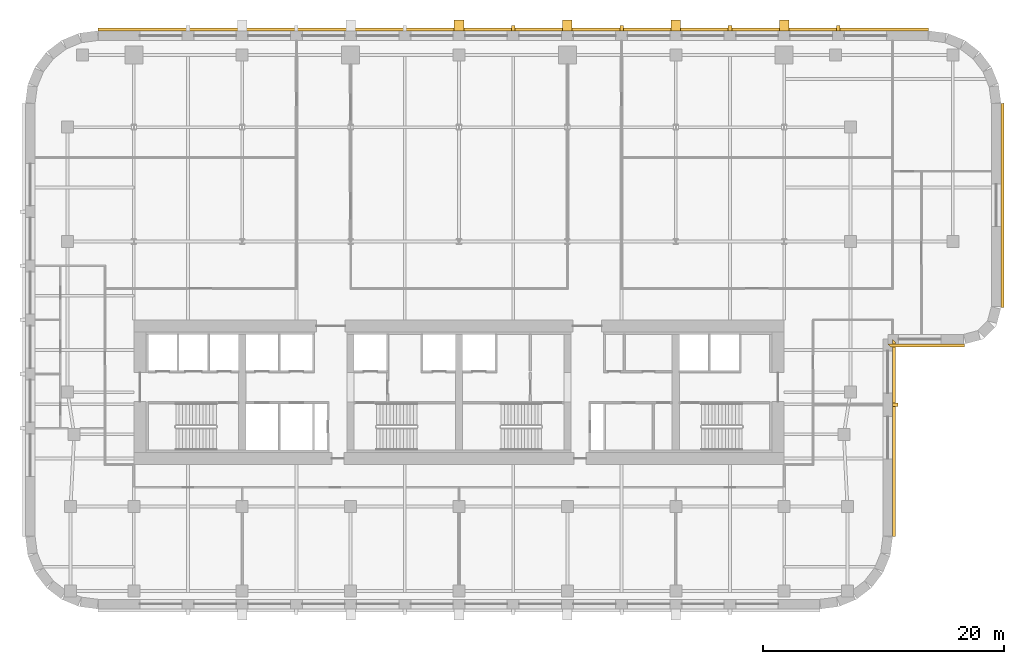
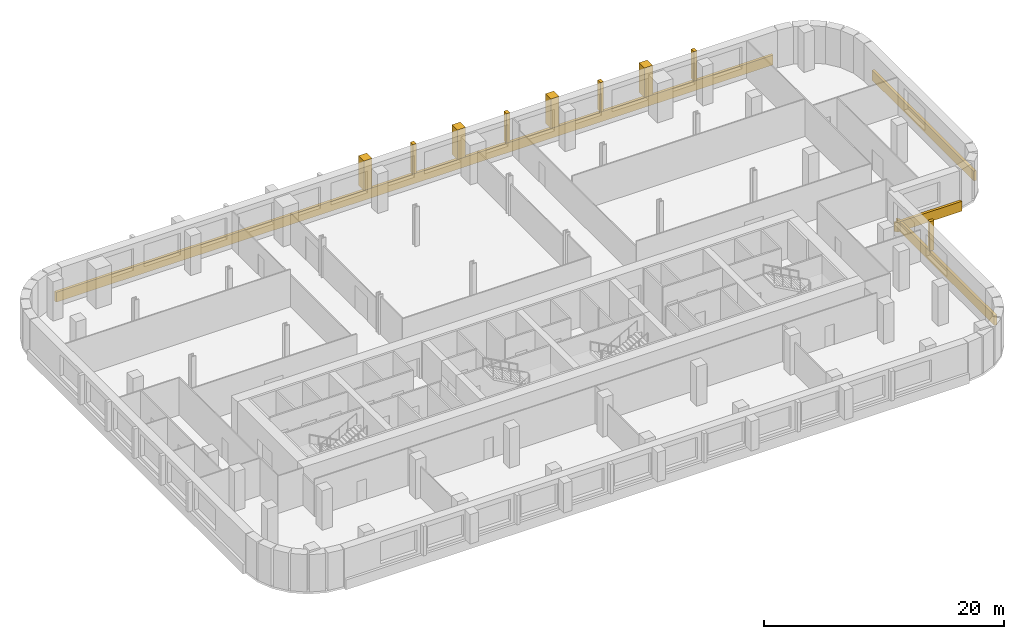
# One storey, part 9 of 9: 13 coverings.
"""IFC4 building model written with IfcOpenShell, lengths in metres."""

from ifc_helpers import new_model, si_unit, direction, frame, origin, place, context, subcontext, project, spatial, polyline, outline, extrude, material, layer, layer_set, type_object, element, save


model = new_model("IFC4")

# Units and contexts
model_context = context("Model", 3, precision=1e-05, world=origin(), true_north=direction((0.0, 1.0)))
body_context = subcontext(model_context, "Body", "Model", "MODEL_VIEW")
ifc_project = project(units=[si_unit("LENGTHUNIT", "METRE"), si_unit("AREAUNIT", "SQUARE_METRE"), si_unit("VOLUMEUNIT", "CUBIC_METRE"), si_unit("PLANEANGLEUNIT", "RADIAN"), si_unit("MASSUNIT", "GRAM", prefix="KILO")], contexts=[model_context])

# Site, building, storey
site_placement = place(None, origin())
site = spatial("IfcSite", under=ifc_project, at=site_placement, CompositionType="ELEMENT")
building_placement = place(site_placement, origin())
building = spatial("IfcBuilding", under=site, at=building_placement, Name="Zellij Exchange Tower", CompositionType="ELEMENT")
storey_placement = place(building_placement, frame((0.0, 0.0, 112.5)))
storey = spatial("IfcBuildingStorey", under=building, at=storey_placement, Name="L24", CompositionType="ELEMENT", Elevation=112.5)

# Coverings
ifc_material = material(Name="Limestone cladding", Category="masonry")
covering_type_1 = type_object("IfcCoveringType", Name="ENV-CV5 Stone pier 800x900", PredefinedType="CLADDING", material=ifc_material)
covering_1_placement = place(storey_placement, frame((0.0, 0.0, 0.800048828125)))
element("IfcCovering", 1, at=covering_1_placement, inside=storey, type_object=covering_type_1, Name="Stone pier", PredefinedType="CLADDING", context=body_context, shape_type="SweptSolid", body=[
    extrude(outline(polyline([(27.39990234375, 22.0), (26.60009765625, 22.0), (26.60009765625, 22.89990234375), (27.39990234375, 22.89990234375), (27.39990234375, 22.0)])), origin(), (0.0, 0.0, 1.0), 3.0),
])
covering_2_placement = place(storey_placement, frame((0.0, 0.0, 0.800048828125)))
element("IfcCovering", 2, at=covering_2_placement, inside=storey, type_object=covering_type_1, Name="Stone pier", PredefinedType="CLADDING", context=body_context, shape_type="SweptSolid", body=[
    extrude(outline(polyline([(18.39990234375, 22.0), (17.60009765625, 22.0), (17.60009765625, 22.89990234375), (18.39990234375, 22.89990234375), (18.39990234375, 22.0)])), origin(), (0.0, 0.0, 1.0), 3.0),
])
covering_3_placement = place(storey_placement, frame((0.0, 0.0, 0.800048828125)))
element("IfcCovering", 3, at=covering_3_placement, inside=storey, type_object=covering_type_1, Name="Stone pier", PredefinedType="CLADDING", context=body_context, shape_type="SweptSolid", body=[
    extrude(outline(polyline([(9.39990234375, 22.0), (8.60009765625, 22.0), (8.60009765625, 22.89990234375), (9.39990234375, 22.89990234375), (9.39990234375, 22.0)])), origin(), (0.0, 0.0, 1.0), 3.0),
])
covering_4_placement = place(storey_placement, frame((0.0, 0.0, 0.800048828125)))
element("IfcCovering", 4, at=covering_4_placement, inside=storey, type_object=covering_type_1, Name="Stone pier", PredefinedType="CLADDING", context=body_context, shape_type="SweptSolid", body=[
    extrude(outline(polyline([(0.39990234375, 22.0), (-0.39990234375, 22.0), (-0.39990234375, 22.89990234375), (0.39990234375, 22.89990234375), (0.39990234375, 22.0)])), origin(), (0.0, 0.0, 1.0), 3.0),
])
covering_type_2 = type_object("IfcCoveringType", Name="ENV-CV7 Stone pier 300x450", PredefinedType="CLADDING", material=ifc_material)
covering_5_placement = place(storey_placement, frame((0.0, 0.0, 0.800048828125)))
element("IfcCovering", 5, at=covering_5_placement, inside=storey, type_object=covering_type_2, Name="Stone pier", PredefinedType="CLADDING", context=body_context, shape_type="SweptSolid", body=[
    extrude(outline(polyline([(36.0, -9.2080078125), (36.0, -8.907958984375), (36.449951171875, -8.907958984375), (36.449951171875, -9.2080078125), (36.0, -9.2080078125)])), origin(), (0.0, 0.0, 1.0), 3.0),
])
covering_6_placement = place(storey_placement, frame((0.0, 0.0, 0.800048828125)))
element("IfcCovering", 6, at=covering_6_placement, inside=storey, type_object=covering_type_2, Name="Stone pier", PredefinedType="CLADDING", context=body_context, shape_type="SweptSolid", body=[
    extrude(outline(polyline([(31.64990234375, 22.0), (31.35009765625, 22.0), (31.35009765625, 22.449951171875), (31.64990234375, 22.449951171875), (31.64990234375, 22.0)])), origin(), (0.0, 0.0, 1.0), 3.0),
])
covering_7_placement = place(storey_placement, frame((0.0, 0.0, 0.800048828125)))
element("IfcCovering", 7, at=covering_7_placement, inside=storey, type_object=covering_type_2, Name="Stone pier", PredefinedType="CLADDING", context=body_context, shape_type="SweptSolid", body=[
    extrude(outline(polyline([(22.64990234375, 22.0), (22.35009765625, 22.0), (22.35009765625, 22.449951171875), (22.64990234375, 22.449951171875), (22.64990234375, 22.0)])), origin(), (0.0, 0.0, 1.0), 3.0),
])
covering_8_placement = place(storey_placement, frame((0.0, 0.0, 0.800048828125)))
element("IfcCovering", 8, at=covering_8_placement, inside=storey, type_object=covering_type_2, Name="Stone pier", PredefinedType="CLADDING", context=body_context, shape_type="SweptSolid", body=[
    extrude(outline(polyline([(13.64990234375, 22.0), (13.35009765625, 22.0), (13.35009765625, 22.449951171875), (13.64990234375, 22.449951171875), (13.64990234375, 22.0)])), origin(), (0.0, 0.0, 1.0), 3.0),
])
covering_9_placement = place(storey_placement, frame((0.0, 0.0, 0.800048828125)))
element("IfcCovering", 9, at=covering_9_placement, inside=storey, type_object=covering_type_2, Name="Stone pier", PredefinedType="CLADDING", context=body_context, shape_type="SweptSolid", body=[
    extrude(outline(polyline([(4.64990234375, 22.0), (4.35009765625, 22.0), (4.35009765625, 22.449951171875), (4.64990234375, 22.449951171875), (4.64990234375, 22.0)])), origin(), (0.0, 0.0, 1.0), 3.0),
])
ifc_layer = layer(ifc_material, 0.25)
ifc_layer_set = layer_set([ifc_layer], Name="Limestone cladding")
covering_type_3 = type_object("IfcCoveringType", Name="ENV-CV8 Stone spandrel band 250", PredefinedType="CLADDING", material=ifc_layer_set)
covering_10_placement = place(storey_placement, frame((0.0, 0.0, -0.199951171875)))
element("IfcCovering", 10, at=covering_10_placement, inside=storey, type_object=covering_type_3, Name="Stone spandrel band", PredefinedType="CLADDING", context=body_context, shape_type="SweptSolid", body=[
    extrude(outline(polyline([(36.0, -19.973876953125), (36.0, -3.60009765625), (36.25, -3.85009765625), (36.25, -19.990234375), (36.0, -19.973876953125)])), origin(), (0.0, 0.0, 1.0), 1.0),
])
covering_11_placement = place(storey_placement, frame((0.0, 0.0, -0.199951171875)))
element("IfcCovering", 11, at=covering_11_placement, inside=storey, type_object=covering_type_3, Name="Stone spandrel band", PredefinedType="CLADDING", context=body_context, shape_type="SweptSolid", body=[
    extrude(outline(polyline([(35.60009765625, -4.0), (41.947265625, -4.0), (41.980224609375, -4.25), (35.85009765625, -4.25), (35.60009765625, -4.0)])), origin(), (0.0, 0.0, 1.0), 1.0),
])
covering_12_placement = place(storey_placement, frame((0.0, 0.0, -0.199951171875)))
element("IfcCovering", 12, at=covering_12_placement, inside=storey, type_object=covering_type_3, Name="Stone spandrel band", PredefinedType="CLADDING", context=body_context, shape_type="SweptSolid", body=[
    extrude(outline(polyline([(45.0, -0.947265625), (45.0, 15.973876953125), (45.25, 15.990234375), (45.25, -0.980224609375), (45.0, -0.947265625)])), origin(), (0.0, 0.0, 1.0), 1.0),
])
covering_13_placement = place(storey_placement, frame((0.0, 0.0, -0.199951171875)))
element("IfcCovering", 13, at=covering_13_placement, inside=storey, type_object=covering_type_3, Name="Stone spandrel band", PredefinedType="CLADDING", context=body_context, shape_type="SweptSolid", body=[
    extrude(outline(polyline([(38.973876953125, 22.0), (-29.973876953125, 22.0), (-29.990234375, 22.25), (38.990234375, 22.25), (38.973876953125, 22.0)])), origin(), (0.0, 0.0, 1.0), 1.0),
])

save(model, "model.ifc")
